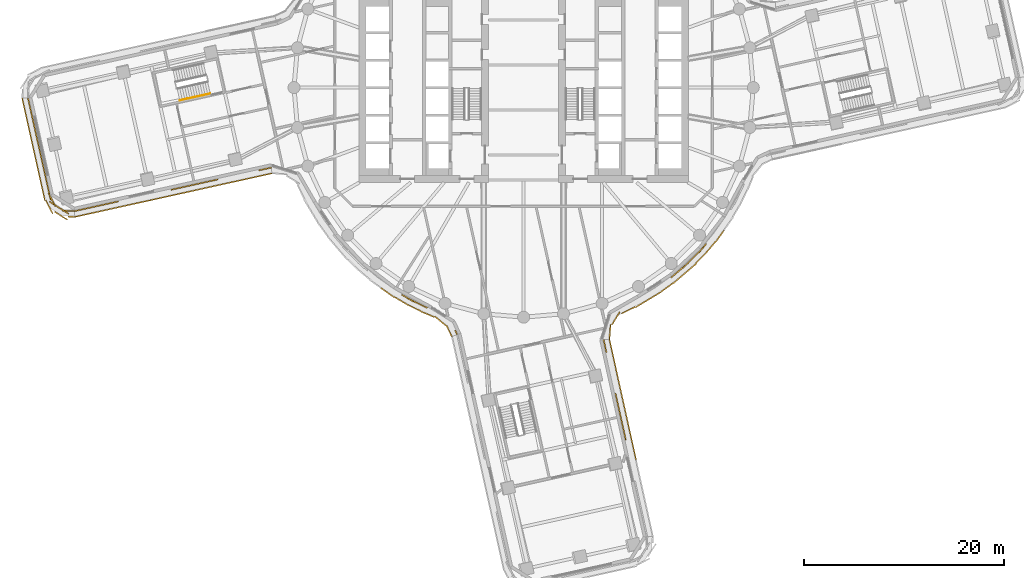
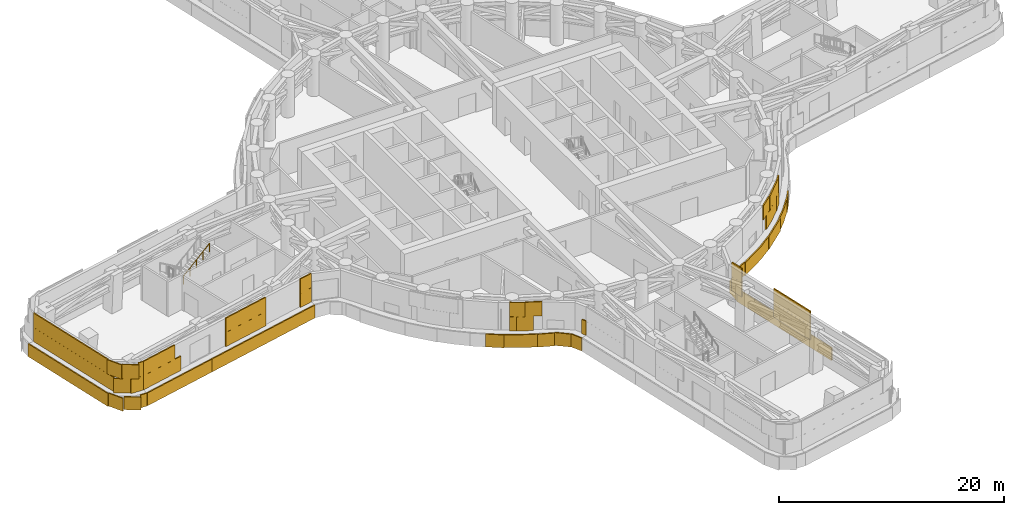
# One storey, part 17 of 22: 6 coverings, 1 railing.
"""IFC4 building model written with IfcOpenShell, lengths in metres."""

from ifc_helpers import new_model, si_unit, direction, frame, origin, origin_2d, place, context, subcontext, project, spatial, rectangle, circle, extrude, material, layer, layer_set, type_object, element, save


model = new_model("IFC4")

# Units and contexts
model_context = context("Model", 3, precision=1e-05, world=origin(), true_north=direction((0.0, 1.0)))
body_context = subcontext(model_context, "Body", "Model", "MODEL_VIEW")
ifc_project = project(units=[si_unit("LENGTHUNIT", "METRE"), si_unit("AREAUNIT", "SQUARE_METRE"), si_unit("VOLUMEUNIT", "CUBIC_METRE"), si_unit("PLANEANGLEUNIT", "RADIAN"), si_unit("MASSUNIT", "GRAM", prefix="KILO")], contexts=[model_context])

# Site, building, storey
site_placement = place(None, origin())
site = spatial("IfcSite", under=ifc_project, at=site_placement, CompositionType="ELEMENT")
building_placement = place(site_placement, origin())
building = spatial("IfcBuilding", under=site, at=building_placement, Name="Tamarind Cross Interchange Tower", CompositionType="ELEMENT")
storey_placement = place(building_placement, frame((0.0, 0.0, 79.0)))
storey = spatial("IfcBuildingStorey", under=building, at=storey_placement, Name="L18", CompositionType="ELEMENT", Elevation=79.0)

# Railing
ifc_material_1 = material(Name="Stair handrail")
railing_type = type_object("IfcRailingType", Name="Stair handrail", PredefinedType="HANDRAIL", material=ifc_material_1)
railing_placement = place(storey_placement, frame((-34.4384765625, -1.28076171875, 2.423095703125)))
element("IfcRailing", 1, at=railing_placement, inside=storey, type_object=railing_type, Name="L18 ST5 stair handrail 2", PredefinedType="HANDRAIL", context=body_context, shape_type="SweptSolid", body=[
    extrude(circle(Radius=0.02392578125, at=origin_2d()), frame((0.0, 0.0, 0.8759765625), z_axis=(0.812565500343, 0.180700392653, 0.554152213518), x_axis=(-0.217079600269, 0.976153905461, 0.0)), (0.0, 0.0, 1.0), 3.747802734375),
    extrude(circle(Radius=0.02099609375, at=origin_2d()), origin(), (0.0, 0.0, 1.0), 0.851806640625),
    extrude(circle(Radius=0.02099609375, at=origin_2d()), frame((0.76123046875, 0.16943359375, 0.519287109375)), (0.0, 0.0, 1.0), 0.851806640625),
    extrude(circle(Radius=0.02099609375, at=origin_2d()), frame((1.522705078125, 0.338623046875, 1.03857421875)), (0.0, 0.0, 1.0), 0.851806640625),
    extrude(circle(Radius=0.02099609375, at=origin_2d()), frame((2.2841796875, 0.5078125, 1.5576171875)), (0.0, 0.0, 1.0), 0.851806640625),
    extrude(circle(Radius=0.02099609375, at=origin_2d()), frame((3.04541015625, 0.67724609375, 2.076904296875)), (0.0, 0.0, 1.0), 0.851806640625),
])

# Coverings
ifc_material_2 = material(Name="Terracotta", Category="masonry")
ifc_layer = layer(ifc_material_2, 0.1201171875)
ifc_layer_set = layer_set([ifc_layer], Name="Terracotta")
covering_type = type_object("IfcCoveringType", Name="Terracotta baguette screen unit", PredefinedType="MOLDING", material=ifc_layer_set)
covering_1_placement = place(storey_placement, origin())
element("IfcCovering", 2, at=covering_1_placement, inside=storey, type_object=covering_type, Name="SCR-L18-00-00", PredefinedType="MOLDING", context=body_context, shape_type="SweptSolid", body=[
    extrude(rectangle(XDim=1.510009765625, YDim=0.1201171875, at=origin_2d()), frame((-49.484619140625, -1.74609375, 1.404052734375), z_axis=(0.0, 0.0, 1.0), x_axis=(0.217080255487, -0.976153759752, 0.0)), (0.0, 0.0, 1.0), 1.5419921875),
    extrude(rectangle(XDim=1.52001953125, YDim=0.1201171875, at=origin_2d()), frame((-49.158935546875, -3.21044921875, 1.404052734375), z_axis=(0.0, 0.0, 1.0), x_axis=(0.217080255487, -0.976153759752, 0.0)), (0.0, 0.0, 1.0), 1.5419921875),
    extrude(rectangle(XDim=1.52001953125, YDim=0.1201171875, at=origin_2d()), frame((-48.833251953125, -4.674560546875, 1.404052734375), z_axis=(0.0, 0.0, 1.0), x_axis=(0.217080255487, -0.976153759752, 0.0)), (0.0, 0.0, 1.0), 1.5419921875),
    extrude(rectangle(XDim=1.52001953125, YDim=0.1201171875, at=origin_2d()), frame((-48.507568359375, -6.138916015625, 1.404052734375), z_axis=(0.0, 0.0, 1.0), x_axis=(0.217080255487, -0.976153759752, 0.0)), (0.0, 0.0, 1.0), 1.5419921875),
    extrude(rectangle(XDim=1.52001953125, YDim=0.1201171875, at=origin_2d()), frame((-48.18212890625, -7.60302734375, 1.404052734375), z_axis=(0.0, 0.0, 1.0), x_axis=(0.217080255487, -0.976153759752, 0.0)), (0.0, 0.0, 1.0), 1.5419921875),
    extrude(rectangle(XDim=1.52001953125, YDim=0.1201171875, at=origin_2d()), frame((-47.8564453125, -9.0673828125, 1.404052734375), z_axis=(0.0, 0.0, 1.0), x_axis=(0.217080255487, -0.976153759752, 0.0)), (0.0, 0.0, 1.0), 1.5419921875),
    extrude(rectangle(XDim=1.52001953125, YDim=0.1201171875, at=origin_2d()), frame((-47.53076171875, -10.531494140625, 1.404052734375), z_axis=(0.0, 0.0, 1.0), x_axis=(0.217080255487, -0.976153759752, 0.0)), (0.0, 0.0, 1.0), 1.5419921875),
    extrude(rectangle(XDim=1.52001953125, YDim=0.1201171875, at=origin_2d()), frame((-46.84521484375, -11.831787109375, 1.404052734375), z_axis=(0.0, 0.0, 1.0), x_axis=(0.843743863718, -0.536746022285, 0.0)), (0.0, 0.0, 1.0), 1.5419921875),
    extrude(rectangle(XDim=1.259521484375, YDim=0.1201171875, at=origin_2d()), frame((-45.615966796875, -12.349365234375, 1.404052734375), z_axis=(0.0, 0.0, 1.0), x_axis=(0.999076631409, -0.04296375882, 0.0)), (0.0, 0.0, 1.0), 1.5419921875),
    extrude(rectangle(XDim=0.760009765625, YDim=0.1201171875, at=origin_2d()), frame((-49.56591796875, -1.380126953125, 2.9541015625), z_axis=(0.0, 0.0, 1.0), x_axis=(0.217080255487, -0.976153759752, 0.0)), (0.0, 0.0, 1.0), 1.5419921875),
    extrude(rectangle(XDim=1.52001953125, YDim=0.1201171875, at=origin_2d()), frame((-49.32177734375, -2.478271484375, 2.9541015625), z_axis=(0.0, 0.0, 1.0), x_axis=(0.217080255487, -0.976153759752, 0.0)), (0.0, 0.0, 1.0), 1.5419921875),
    extrude(rectangle(XDim=1.52001953125, YDim=0.1201171875, at=origin_2d()), frame((-48.99609375, -3.9423828125, 2.9541015625), z_axis=(0.0, 0.0, 1.0), x_axis=(0.217080255487, -0.976153759752, 0.0)), (0.0, 0.0, 1.0), 1.5419921875),
    extrude(rectangle(XDim=1.52001953125, YDim=0.1201171875, at=origin_2d()), frame((-48.67041015625, -5.40673828125, 2.9541015625), z_axis=(0.0, 0.0, 1.0), x_axis=(0.217080255487, -0.976153759752, 0.0)), (0.0, 0.0, 1.0), 1.5419921875),
    extrude(rectangle(XDim=1.52001953125, YDim=0.1201171875, at=origin_2d()), frame((-48.3447265625, -6.870849609375, 2.9541015625), z_axis=(0.0, 0.0, 1.0), x_axis=(0.217080255487, -0.976153759752, 0.0)), (0.0, 0.0, 1.0), 1.5419921875),
    extrude(rectangle(XDim=1.52001953125, YDim=0.1201171875, at=origin_2d()), frame((-48.019287109375, -8.335205078125, 2.9541015625), z_axis=(0.0, 0.0, 1.0), x_axis=(0.217080255487, -0.976153759752, 0.0)), (0.0, 0.0, 1.0), 1.5419921875),
    extrude(rectangle(XDim=1.52001953125, YDim=0.1201171875, at=origin_2d()), frame((-47.693603515625, -9.79931640625, 2.9541015625), z_axis=(0.0, 0.0, 1.0), x_axis=(0.217080255487, -0.976153759752, 0.0)), (0.0, 0.0, 1.0), 1.5419921875),
    extrude(rectangle(XDim=1.52001953125, YDim=0.1201171875, at=origin_2d()), frame((-47.251220703125, -11.220947265625, 2.9541015625), z_axis=(0.0, 0.0, 1.0), x_axis=(0.462330609125, -0.886707622538, 0.0)), (0.0, 0.0, 1.0), 1.5419921875),
    extrude(rectangle(XDim=1.52001953125, YDim=0.1201171875, at=origin_2d()), frame((-46.21240234375, -12.234375, 2.9541015625), z_axis=(0.0, 0.0, 1.0), x_axis=(0.843743863718, -0.536746022285, 0.0)), (0.0, 0.0, 1.0), 1.5419921875),
    extrude(rectangle(XDim=0.509521484375, YDim=0.1201171875, at=origin_2d()), frame((-45.2412109375, -12.365478515625, 2.9541015625), z_axis=(0.0, 0.0, 1.0), x_axis=(0.999076631409, -0.04296375882, 0.0)), (0.0, 0.0, 1.0), 1.5419921875),
    extrude(rectangle(XDim=1.510009765625, YDim=0.1201171875, at=origin_2d()), frame((-50.06005859375, -1.8017578125, 0.00390625), z_axis=(0.0, 0.0, 1.0), x_axis=(0.217080255487, -0.976153759752, 0.0)), (0.0, 0.0, 1.0), 1.39208984375),
    extrude(rectangle(XDim=1.52001953125, YDim=0.1201171875, at=origin_2d()), frame((-49.735595703125, -3.26123046875, 0.00390625), z_axis=(0.0, 0.0, 1.0), x_axis=(0.217080255487, -0.976153759752, 0.0)), (0.0, 0.0, 1.0), 1.39208984375),
    extrude(rectangle(XDim=1.52001953125, YDim=0.1201171875, at=origin_2d()), frame((-49.409912109375, -4.725341796875, 0.00390625), z_axis=(0.0, 0.0, 1.0), x_axis=(0.217080255487, -0.976153759752, 0.0)), (0.0, 0.0, 1.0), 1.39208984375),
    extrude(rectangle(XDim=1.52001953125, YDim=0.1201171875, at=origin_2d()), frame((-49.08447265625, -6.189697265625, 0.00390625), z_axis=(0.0, 0.0, 1.0), x_axis=(0.217080255487, -0.976153759752, 0.0)), (0.0, 0.0, 1.0), 1.39208984375),
    extrude(rectangle(XDim=1.52001953125, YDim=0.1201171875, at=origin_2d()), frame((-48.7587890625, -7.65380859375, 0.00390625), z_axis=(0.0, 0.0, 1.0), x_axis=(0.217080255487, -0.976153759752, 0.0)), (0.0, 0.0, 1.0), 1.39208984375),
    extrude(rectangle(XDim=1.52001953125, YDim=0.1201171875, at=origin_2d()), frame((-48.43310546875, -9.1181640625, 0.00390625), z_axis=(0.0, 0.0, 1.0), x_axis=(0.217080255487, -0.976153759752, 0.0)), (0.0, 0.0, 1.0), 1.39208984375),
    extrude(rectangle(XDim=1.52001953125, YDim=0.1201171875, at=origin_2d()), frame((-48.107421875, -10.582275390625, 0.00390625), z_axis=(0.0, 0.0, 1.0), x_axis=(0.217080255487, -0.976153759752, 0.0)), (0.0, 0.0, 1.0), 1.39208984375),
    extrude(rectangle(XDim=1.52001953125, YDim=0.1201171875, at=origin_2d()), frame((-47.518310546875, -11.950439453125, 0.00390625), z_axis=(0.0, 0.0, 1.0), x_axis=(0.462330609125, -0.886707622538, 0.0)), (0.0, 0.0, 1.0), 1.39208984375),
    extrude(rectangle(XDim=1.52001953125, YDim=0.1201171875, at=origin_2d()), frame((-46.338623046875, -12.83447265625, 0.00390625), z_axis=(0.0, 0.0, 1.0), x_axis=(0.843743863718, -0.536746022285, 0.0)), (0.0, 0.0, 1.0), 1.39208984375),
    extrude(rectangle(XDim=0.6767578125, YDim=0.1201171875, at=origin_2d()), frame((-45.279296875, -12.938232421875, 0.00390625), z_axis=(0.0, 0.0, 1.0), x_axis=(0.999076631409, -0.04296375882, 0.0)), (0.0, 0.0, 1.0), 1.39208984375),
])
covering_2_placement = place(storey_placement, origin())
element("IfcCovering", 3, at=covering_2_placement, inside=storey, type_object=covering_type, Name="SCR-L18-01-00", PredefinedType="MOLDING", context=body_context, shape_type="SweptSolid", body=[
    extrude(rectangle(XDim=1.510009765625, YDim=0.1201171875, at=origin_2d()), frame((-44.25927734375, -12.21435546875, 1.404052734375), z_axis=(0.0, 0.0, 1.0), x_axis=(0.976433232523, 0.21581969888, 0.0)), (0.0, 0.0, 1.0), 1.5419921875),
    extrude(rectangle(XDim=1.52001953125, YDim=0.1201171875, at=origin_2d()), frame((-42.794677734375, -11.890625, 1.404052734375), z_axis=(0.0, 0.0, 1.0), x_axis=(0.976433232523, 0.21581969888, 0.0)), (0.0, 0.0, 1.0), 1.5419921875),
    extrude(rectangle(XDim=1.52001953125, YDim=0.1201171875, at=origin_2d()), frame((-41.330078125, -11.56689453125, 1.404052734375), z_axis=(0.0, 0.0, 1.0), x_axis=(0.976433232523, 0.21581969888, 0.0)), (0.0, 0.0, 1.0), 1.5419921875),
    extrude(rectangle(XDim=0.760009765625, YDim=0.1201171875, at=origin_2d()), frame((-44.62548828125, -12.295166015625, 2.9541015625), z_axis=(0.0, 0.0, 1.0), x_axis=(0.976433232523, 0.21581969888, 0.0)), (0.0, 0.0, 1.0), 1.5419921875),
    extrude(rectangle(XDim=1.52001953125, YDim=0.1201171875, at=origin_2d()), frame((-43.527099609375, -12.052490234375, 2.9541015625), z_axis=(0.0, 0.0, 1.0), x_axis=(0.976433232523, 0.21581969888, 0.0)), (0.0, 0.0, 1.0), 1.5419921875),
    extrude(rectangle(XDim=1.52001953125, YDim=0.1201171875, at=origin_2d()), frame((-42.0625, -11.728759765625, 2.9541015625), z_axis=(0.0, 0.0, 1.0), x_axis=(0.976433232523, 0.21581969888, 0.0)), (0.0, 0.0, 1.0), 1.5419921875),
    extrude(rectangle(XDim=1.510009765625, YDim=0.1201171875, at=origin_2d()), frame((-44.2041015625, -12.789794921875, 0.00390625), z_axis=(0.0, 0.0, 1.0), x_axis=(0.976433232523, 0.21581969888, 0.0)), (0.0, 0.0, 1.0), 1.39208984375),
    extrude(rectangle(XDim=1.52001953125, YDim=0.1201171875, at=origin_2d()), frame((-42.744384765625, -12.46728515625, 0.00390625), z_axis=(0.0, 0.0, 1.0), x_axis=(0.976433232523, 0.21581969888, 0.0)), (0.0, 0.0, 1.0), 1.39208984375),
    extrude(rectangle(XDim=1.52001953125, YDim=0.1201171875, at=origin_2d()), frame((-41.279541015625, -12.1435546875, 0.00390625), z_axis=(0.0, 0.0, 1.0), x_axis=(0.976433232523, 0.21581969888, 0.0)), (0.0, 0.0, 1.0), 1.39208984375),
    extrude(rectangle(XDim=1.52001953125, YDim=0.1201171875, at=origin_2d()), frame((-39.81494140625, -11.81982421875, 0.00390625), z_axis=(0.0, 0.0, 1.0), x_axis=(0.976433232523, 0.21581969888, 0.0)), (0.0, 0.0, 1.0), 1.39208984375),
    extrude(rectangle(XDim=1.52001953125, YDim=0.1201171875, at=origin_2d()), frame((-38.350341796875, -11.49609375, 0.00390625), z_axis=(0.0, 0.0, 1.0), x_axis=(0.976433232523, 0.21581969888, 0.0)), (0.0, 0.0, 1.0), 1.39208984375),
    extrude(rectangle(XDim=0.3232421875, YDim=0.1201171875, at=origin_2d()), frame((-37.469970703125, -11.301513671875, 0.00390625), z_axis=(0.0, 0.0, 1.0), x_axis=(0.976433232523, 0.21581969888, 0.0)), (0.0, 0.0, 1.0), 1.39208984375),
])
covering_3_placement = place(storey_placement, origin())
element("IfcCovering", 4, at=covering_3_placement, inside=storey, type_object=covering_type, Name="SCR-L18-01-01", PredefinedType="MOLDING", context=body_context, shape_type="SweptSolid", body=[
    extrude(rectangle(XDim=0.592529296875, YDim=0.1201171875, at=origin_2d()), frame((-35.023681640625, -10.1728515625, 1.404052734375), z_axis=(0.0, 0.0, 1.0), x_axis=(0.976433232523, 0.21581969888, 0.0)), (0.0, 0.0, 1.0), 1.5419921875),
    extrude(rectangle(XDim=1.52001953125, YDim=0.1201171875, at=origin_2d()), frame((-34.0068359375, -9.9482421875, 1.404052734375), z_axis=(0.0, 0.0, 1.0), x_axis=(0.976433232523, 0.21581969888, 0.0)), (0.0, 0.0, 1.0), 1.5419921875),
    extrude(rectangle(XDim=1.52001953125, YDim=0.1201171875, at=origin_2d()), frame((-32.542236328125, -9.62451171875, 1.404052734375), z_axis=(0.0, 0.0, 1.0), x_axis=(0.976433232523, 0.21581969888, 0.0)), (0.0, 0.0, 1.0), 1.5419921875),
    extrude(rectangle(XDim=1.226806640625, YDim=0.1201171875, at=origin_2d()), frame((-31.2158203125, -9.331298828125, 1.404052734375), z_axis=(0.0, 0.0, 1.0), x_axis=(0.976433232523, 0.21581969888, 0.0)), (0.0, 0.0, 1.0), 1.5419921875),
    extrude(rectangle(XDim=0.59326171875, YDim=0.1201171875, at=origin_2d()), frame((-26.236083984375, -8.230712890625, 1.404052734375), z_axis=(0.0, 0.0, 1.0), x_axis=(0.976433232523, 0.21581969888, 0.0)), (0.0, 0.0, 1.0), 1.5419921875),
    extrude(rectangle(XDim=0.7265625, YDim=0.1201171875, at=origin_2d()), frame((-25.6015625, -8.09033203125, 1.404052734375), z_axis=(0.0, 0.0, 1.0), x_axis=(0.976433232523, 0.21581969888, 0.0)), (0.0, 0.0, 1.0), 1.5419921875),
    extrude(rectangle(XDim=1.342529296875, YDim=0.1201171875, at=origin_2d()), frame((-34.657470703125, -10.092041015625, 2.9541015625), z_axis=(0.0, 0.0, 1.0), x_axis=(0.976433232523, 0.21581969888, 0.0)), (0.0, 0.0, 1.0), 1.5419921875),
    extrude(rectangle(XDim=1.52001953125, YDim=0.1201171875, at=origin_2d()), frame((-33.2744140625, -9.786376953125, 2.9541015625), z_axis=(0.0, 0.0, 1.0), x_axis=(0.976433232523, 0.21581969888, 0.0)), (0.0, 0.0, 1.0), 1.5419921875),
    extrude(rectangle(XDim=1.52001953125, YDim=0.1201171875, at=origin_2d()), frame((-31.809814453125, -9.462646484375, 2.9541015625), z_axis=(0.0, 0.0, 1.0), x_axis=(0.976433232523, 0.21581969888, 0.0)), (0.0, 0.0, 1.0), 1.5419921875),
    extrude(rectangle(XDim=0.476806640625, YDim=0.1201171875, at=origin_2d()), frame((-30.849609375, -9.250244140625, 2.9541015625), z_axis=(0.0, 0.0, 1.0), x_axis=(0.976433232523, 0.21581969888, 0.0)), (0.0, 0.0, 1.0), 1.5419921875),
    extrude(rectangle(XDim=1.2998046875, YDim=0.1201171875, at=origin_2d()), frame((-25.88623046875, -8.1533203125, 2.9541015625), z_axis=(0.0, 0.0, 1.0), x_axis=(0.976433232523, 0.21581969888, 0.0)), (0.0, 0.0, 1.0), 1.5419921875),
    extrude(rectangle(XDim=1.19677734375, YDim=0.1201171875, at=origin_2d()), frame((-36.727783203125, -11.137451171875, 0.00390625), z_axis=(0.0, 0.0, 1.0), x_axis=(0.976433232523, 0.21581969888, 0.0)), (0.0, 0.0, 1.0), 1.39208984375),
    extrude(rectangle(XDim=1.52001953125, YDim=0.1201171875, at=origin_2d()), frame((-35.4208984375, -10.8486328125, 0.00390625), z_axis=(0.0, 0.0, 1.0), x_axis=(0.976433232523, 0.21581969888, 0.0)), (0.0, 0.0, 1.0), 1.39208984375),
    extrude(rectangle(XDim=1.52001953125, YDim=0.1201171875, at=origin_2d()), frame((-33.956298828125, -10.52490234375, 0.00390625), z_axis=(0.0, 0.0, 1.0), x_axis=(0.976433232523, 0.21581969888, 0.0)), (0.0, 0.0, 1.0), 1.39208984375),
    extrude(rectangle(XDim=1.52001953125, YDim=0.1201171875, at=origin_2d()), frame((-32.49169921875, -10.201171875, 0.00390625), z_axis=(0.0, 0.0, 1.0), x_axis=(0.976433232523, 0.21581969888, 0.0)), (0.0, 0.0, 1.0), 1.39208984375),
    extrude(rectangle(XDim=1.52001953125, YDim=0.1201171875, at=origin_2d()), frame((-31.027099609375, -9.87744140625, 0.00390625), z_axis=(0.0, 0.0, 1.0), x_axis=(0.976433232523, 0.21581969888, 0.0)), (0.0, 0.0, 1.0), 1.39208984375),
    extrude(rectangle(XDim=1.52001953125, YDim=0.1201171875, at=origin_2d()), frame((-29.5625, -9.5537109375, 0.00390625), z_axis=(0.0, 0.0, 1.0), x_axis=(0.976433232523, 0.21581969888, 0.0)), (0.0, 0.0, 1.0), 1.39208984375),
    extrude(rectangle(XDim=1.52001953125, YDim=0.1201171875, at=origin_2d()), frame((-28.09765625, -9.22998046875, 0.00390625), z_axis=(0.0, 0.0, 1.0), x_axis=(0.976433232523, 0.21581969888, 0.0)), (0.0, 0.0, 1.0), 1.39208984375),
    extrude(rectangle(XDim=1.52001953125, YDim=0.1201171875, at=origin_2d()), frame((-26.633056640625, -8.90625, 0.00390625), z_axis=(0.0, 0.0, 1.0), x_axis=(0.976433232523, 0.21581969888, 0.0)), (0.0, 0.0, 1.0), 1.39208984375),
    extrude(rectangle(XDim=0.715576171875, YDim=0.1201171875, at=origin_2d()), frame((-25.561279296875, -8.66943359375, 0.00390625), z_axis=(0.0, 0.0, 1.0), x_axis=(0.976433232523, 0.21581969888, 0.0)), (0.0, 0.0, 1.0), 1.39208984375),
])
covering_4_placement = place(storey_placement, origin())
element("IfcCovering", 5, at=covering_4_placement, inside=storey, type_object=covering_type, Name="SCR-L18-02-01", PredefinedType="MOLDING", context=body_context, shape_type="SweptSolid", body=[
    extrude(rectangle(XDim=0.64013671875, YDim=0.1201171875, at=origin_2d()), frame((-11.942626953125, -20.895751953125, 1.404052734375), z_axis=(0.0, 0.0, 1.0), x_axis=(0.861248933065, -0.508183308752, 0.0)), (0.0, 0.0, 1.0), 1.5419921875),
    extrude(rectangle(XDim=1.52001953125, YDim=0.1201171875, at=origin_2d()), frame((-11.009765625, -21.407470703125, 1.404052734375), z_axis=(0.0, 0.0, 1.0), x_axis=(0.900272776334, -0.435326231914, 0.0)), (0.0, 0.0, 1.0), 1.5419921875),
    extrude(rectangle(XDim=0.4677734375, YDim=0.1201171875, at=origin_2d()), frame((-6.7509765625, -24.535888671875, 1.404052734375), z_axis=(0.0, 0.0, 1.0), x_axis=(0.427216997365, -0.904149123299, 0.0)), (0.0, 0.0, 1.0), 1.5419921875),
    extrude(rectangle(XDim=1.39013671875, YDim=0.1201171875, at=origin_2d()), frame((-11.61962890625, -21.086181640625, 2.9541015625), z_axis=(0.0, 0.0, 1.0), x_axis=(0.861248933065, -0.508183308752, 0.0)), (0.0, 0.0, 1.0), 1.5419921875),
    extrude(rectangle(XDim=1.52001953125, YDim=0.1201171875, at=origin_2d()), frame((-10.33447265625, -21.734130859375, 2.9541015625), z_axis=(0.0, 0.0, 1.0), x_axis=(0.900272776334, -0.435326231914, 0.0)), (0.0, 0.0, 1.0), 1.5419921875),
    extrude(rectangle(XDim=0.143798828125, YDim=0.1201171875, at=origin_2d()), frame((-14.248291015625, -20.10205078125, 0.00390625), z_axis=(0.0, 0.0, 1.0), x_axis=(0.816341886298, -0.577568978284, 0.0)), (0.0, 0.0, 1.0), 1.39208984375),
    extrude(rectangle(XDim=1.52001953125, YDim=0.1201171875, at=origin_2d()), frame((-13.58544921875, -20.57080078125, 0.00390625), z_axis=(0.0, 0.0, 1.0), x_axis=(0.816341886298, -0.577568978284, 0.0)), (0.0, 0.0, 1.0), 1.39208984375),
    extrude(rectangle(XDim=1.52001953125, YDim=0.1201171875, at=origin_2d()), frame((-12.303955078125, -21.34912109375, 0.00390625), z_axis=(0.0, 0.0, 1.0), x_axis=(0.861248933065, -0.508183308752, 0.0)), (0.0, 0.0, 1.0), 1.39208984375),
    extrude(rectangle(XDim=1.52001953125, YDim=0.1201171875, at=origin_2d()), frame((-10.9833984375, -22.057861328125, 0.00390625), z_axis=(0.0, 0.0, 1.0), x_axis=(0.900272776334, -0.435326231914, 0.0)), (0.0, 0.0, 1.0), 1.39208984375),
    extrude(rectangle(XDim=1.52001953125, YDim=0.1201171875, at=origin_2d()), frame((-9.62841796875, -22.700439453125, 0.00390625), z_axis=(0.0, 0.0, 1.0), x_axis=(0.923118099232, -0.384516546939, 0.0)), (0.0, 0.0, 1.0), 1.39208984375),
    extrude(rectangle(XDim=1.52001953125, YDim=0.1201171875, at=origin_2d()), frame((-8.31591796875, -23.396728515625, 0.00390625), z_axis=(0.0, 0.0, 1.0), x_axis=(0.77020122552, -0.637800965982, 0.0)), (0.0, 0.0, 1.0), 1.39208984375),
    extrude(rectangle(XDim=1.201904296875, YDim=0.1201171875, at=origin_2d()), frame((-7.456298828125, -24.38671875, 0.00390625), z_axis=(0.0, 0.0, 1.0), x_axis=(0.427216997365, -0.904149123299, 0.0)), (0.0, 0.0, 1.0), 1.39208984375),
])
covering_5_placement = place(storey_placement, origin())
element("IfcCovering", 6, at=covering_5_placement, inside=storey, type_object=covering_type, Name="SCR-L18-05-01", PredefinedType="MOLDING", context=body_context, shape_type="SweptSolid", body=[
    extrude(rectangle(XDim=0.592529296875, YDim=0.1201171875, at=origin_2d()), frame((10.1728515625, -35.023681640625, 1.404052734375), z_axis=(0.0, 0.0, 1.0), x_axis=(-0.21581969888, 0.976433232523, 0.0)), (0.0, 0.0, 1.0), 1.5419921875),
    extrude(rectangle(XDim=1.52001953125, YDim=0.1201171875, at=origin_2d()), frame((9.9482421875, -34.0068359375, 1.404052734375), z_axis=(0.0, 0.0, 1.0), x_axis=(-0.21581969888, 0.976433232523, 0.0)), (0.0, 0.0, 1.0), 1.5419921875),
    extrude(rectangle(XDim=1.52001953125, YDim=0.1201171875, at=origin_2d()), frame((9.62451171875, -32.542236328125, 1.404052734375), z_axis=(0.0, 0.0, 1.0), x_axis=(-0.21581969888, 0.976433232523, 0.0)), (0.0, 0.0, 1.0), 1.5419921875),
    extrude(rectangle(XDim=1.226806640625, YDim=0.1201171875, at=origin_2d()), frame((9.331298828125, -31.2158203125, 1.404052734375), z_axis=(0.0, 0.0, 1.0), x_axis=(-0.21581969888, 0.976433232523, 0.0)), (0.0, 0.0, 1.0), 1.5419921875),
    extrude(rectangle(XDim=0.59326171875, YDim=0.1201171875, at=origin_2d()), frame((8.230712890625, -26.236083984375, 1.404052734375), z_axis=(0.0, 0.0, 1.0), x_axis=(-0.21581969888, 0.976433232523, 0.0)), (0.0, 0.0, 1.0), 1.5419921875),
    extrude(rectangle(XDim=0.7265625, YDim=0.1201171875, at=origin_2d()), frame((8.09033203125, -25.6015625, 1.404052734375), z_axis=(0.0, 0.0, 1.0), x_axis=(-0.21581969888, 0.976433232523, 0.0)), (0.0, 0.0, 1.0), 1.5419921875),
    extrude(rectangle(XDim=1.342529296875, YDim=0.1201171875, at=origin_2d()), frame((10.092041015625, -34.657470703125, 2.9541015625), z_axis=(0.0, 0.0, 1.0), x_axis=(-0.21581969888, 0.976433232523, 0.0)), (0.0, 0.0, 1.0), 1.5419921875),
    extrude(rectangle(XDim=1.52001953125, YDim=0.1201171875, at=origin_2d()), frame((9.786376953125, -33.2744140625, 2.9541015625), z_axis=(0.0, 0.0, 1.0), x_axis=(-0.21581969888, 0.976433232523, 0.0)), (0.0, 0.0, 1.0), 1.5419921875),
    extrude(rectangle(XDim=1.52001953125, YDim=0.1201171875, at=origin_2d()), frame((9.462646484375, -31.809814453125, 2.9541015625), z_axis=(0.0, 0.0, 1.0), x_axis=(-0.21581969888, 0.976433232523, 0.0)), (0.0, 0.0, 1.0), 1.5419921875),
    extrude(rectangle(XDim=0.476806640625, YDim=0.1201171875, at=origin_2d()), frame((9.250244140625, -30.849609375, 2.9541015625), z_axis=(0.0, 0.0, 1.0), x_axis=(-0.21581969888, 0.976433232523, 0.0)), (0.0, 0.0, 1.0), 1.5419921875),
    extrude(rectangle(XDim=1.2998046875, YDim=0.1201171875, at=origin_2d()), frame((8.1533203125, -25.88623046875, 2.9541015625), z_axis=(0.0, 0.0, 1.0), x_axis=(-0.21581969888, 0.976433232523, 0.0)), (0.0, 0.0, 1.0), 1.5419921875),
    extrude(rectangle(XDim=1.19677734375, YDim=0.1201171875, at=origin_2d()), frame((11.137451171875, -36.727783203125, 0.00390625), z_axis=(0.0, 0.0, 1.0), x_axis=(-0.21581969888, 0.976433232523, 0.0)), (0.0, 0.0, 1.0), 1.39208984375),
    extrude(rectangle(XDim=1.52001953125, YDim=0.1201171875, at=origin_2d()), frame((10.8486328125, -35.4208984375, 0.00390625), z_axis=(0.0, 0.0, 1.0), x_axis=(-0.21581969888, 0.976433232523, 0.0)), (0.0, 0.0, 1.0), 1.39208984375),
    extrude(rectangle(XDim=1.52001953125, YDim=0.1201171875, at=origin_2d()), frame((10.52490234375, -33.956298828125, 0.00390625), z_axis=(0.0, 0.0, 1.0), x_axis=(-0.21581969888, 0.976433232523, 0.0)), (0.0, 0.0, 1.0), 1.39208984375),
    extrude(rectangle(XDim=1.52001953125, YDim=0.1201171875, at=origin_2d()), frame((10.201171875, -32.49169921875, 0.00390625), z_axis=(0.0, 0.0, 1.0), x_axis=(-0.21581969888, 0.976433232523, 0.0)), (0.0, 0.0, 1.0), 1.39208984375),
    extrude(rectangle(XDim=1.52001953125, YDim=0.1201171875, at=origin_2d()), frame((9.87744140625, -31.027099609375, 0.00390625), z_axis=(0.0, 0.0, 1.0), x_axis=(-0.21581969888, 0.976433232523, 0.0)), (0.0, 0.0, 1.0), 1.39208984375),
    extrude(rectangle(XDim=1.52001953125, YDim=0.1201171875, at=origin_2d()), frame((9.5537109375, -29.5625, 0.00390625), z_axis=(0.0, 0.0, 1.0), x_axis=(-0.21581969888, 0.976433232523, 0.0)), (0.0, 0.0, 1.0), 1.39208984375),
    extrude(rectangle(XDim=1.52001953125, YDim=0.1201171875, at=origin_2d()), frame((9.22998046875, -28.09765625, 0.00390625), z_axis=(0.0, 0.0, 1.0), x_axis=(-0.21581969888, 0.976433232523, 0.0)), (0.0, 0.0, 1.0), 1.39208984375),
    extrude(rectangle(XDim=1.52001953125, YDim=0.1201171875, at=origin_2d()), frame((8.90625, -26.633056640625, 0.00390625), z_axis=(0.0, 0.0, 1.0), x_axis=(-0.21581969888, 0.976433232523, 0.0)), (0.0, 0.0, 1.0), 1.39208984375),
    extrude(rectangle(XDim=0.715576171875, YDim=0.1201171875, at=origin_2d()), frame((8.66943359375, -25.561279296875, 0.00390625), z_axis=(0.0, 0.0, 1.0), x_axis=(-0.21581969888, 0.976433232523, 0.0)), (0.0, 0.0, 1.0), 1.39208984375),
])
covering_6_placement = place(storey_placement, origin())
element("IfcCovering", 7, at=covering_6_placement, inside=storey, type_object=covering_type, Name="SCR-L18-06-00", PredefinedType="MOLDING", context=body_context, shape_type="SweptSolid", body=[
    extrude(rectangle(XDim=1.52001953125, YDim=0.1201171875, at=origin_2d()), frame((15.906982421875, -18.062255859375, 1.404052734375), z_axis=(0.0, 0.0, 1.0), x_axis=(0.760295606781, 0.64957723968, 0.0)), (0.0, 0.0, 1.0), 1.5419921875),
    extrude(rectangle(XDim=1.52001953125, YDim=0.1201171875, at=origin_2d()), frame((16.998779296875, -17.035400390625, 1.404052734375), z_axis=(0.0, 0.0, 1.0), x_axis=(0.704057148523, 0.710143317658, 0.0)), (0.0, 0.0, 1.0), 1.5419921875),
    extrude(rectangle(XDim=1.179931640625, YDim=0.1201171875, at=origin_2d()), frame((17.92578125, -16.07568359375, 1.404052734375), z_axis=(0.0, 0.0, 1.0), x_axis=(0.643009266048, 0.765858396687, 0.0)), (0.0, 0.0, 1.0), 1.5419921875),
    extrude(rectangle(XDim=1.52001953125, YDim=0.1201171875, at=origin_2d()), frame((15.336669921875, -18.549560546875, 2.9541015625), z_axis=(0.0, 0.0, 1.0), x_axis=(0.760295606781, 0.64957723968, 0.0)), (0.0, 0.0, 1.0), 1.5419921875),
    extrude(rectangle(XDim=1.52001953125, YDim=0.1201171875, at=origin_2d()), frame((16.470703125, -17.568115234375, 2.9541015625), z_axis=(0.0, 0.0, 1.0), x_axis=(0.704057148523, 0.710143317658, 0.0)), (0.0, 0.0, 1.0), 1.5419921875),
    extrude(rectangle(XDim=1.52001953125, YDim=0.1201171875, at=origin_2d()), frame((17.52685546875, -16.5029296875, 2.9541015625), z_axis=(0.0, 0.0, 1.0), x_axis=(0.704057148523, 0.710143317658, 0.0)), (0.0, 0.0, 1.0), 1.5419921875),
    extrude(rectangle(XDim=0.429931640625, YDim=0.1201171875, at=origin_2d()), frame((18.1669921875, -15.78857421875, 2.9541015625), z_axis=(0.0, 0.0, 1.0), x_axis=(0.643009266048, 0.765858396687, 0.0)), (0.0, 0.0, 1.0), 1.5419921875),
    extrude(rectangle(XDim=1.510009765625, YDim=0.1201171875, at=origin_2d()), frame((8.65283203125, -24.45947265625, 0.00390625), z_axis=(0.0, 0.0, 1.0), x_axis=(0.080422797465, 0.996760840748, 0.0)), (0.0, 0.0, 1.0), 1.39208984375),
    extrude(rectangle(XDim=1.52001953125, YDim=0.1201171875, at=origin_2d()), frame((9.23193359375, -23.11767578125, 0.00390625), z_axis=(0.0, 0.0, 1.0), x_axis=(0.518648780545, 0.854987393146, 0.0)), (0.0, 0.0, 1.0), 1.39208984375),
    extrude(rectangle(XDim=1.52001953125, YDim=0.1201171875, at=origin_2d()), frame((10.486328125, -22.302001953125, 0.00390625), z_axis=(0.0, 0.0, 1.0), x_axis=(0.896423142967, 0.443199220162, 0.0)), (0.0, 0.0, 1.0), 1.39208984375),
    extrude(rectangle(XDim=1.52001953125, YDim=0.1201171875, at=origin_2d()), frame((11.8310546875, -21.63720703125, 0.00390625), z_axis=(0.0, 0.0, 1.0), x_axis=(0.856843065292, 0.515577308909, 0.0)), (0.0, 0.0, 1.0), 1.39208984375),
    extrude(rectangle(XDim=1.52001953125, YDim=0.1201171875, at=origin_2d()), frame((13.1162109375, -20.86376953125, 0.00390625), z_axis=(0.0, 0.0, 1.0), x_axis=(0.856843065292, 0.515577308909, 0.0)), (0.0, 0.0, 1.0), 1.39208984375),
    extrude(rectangle(XDim=1.52001953125, YDim=0.1201171875, at=origin_2d()), frame((14.357666015625, -20.024169921875, 0.00390625), z_axis=(0.0, 0.0, 1.0), x_axis=(0.811340475102, 0.584573890505, 0.0)), (0.0, 0.0, 1.0), 1.39208984375),
    extrude(rectangle(XDim=1.52001953125, YDim=0.1201171875, at=origin_2d()), frame((15.552978515625, -19.11962890625, 0.00390625), z_axis=(0.0, 0.0, 1.0), x_axis=(0.760295606781, 0.64957723968, 0.0)), (0.0, 0.0, 1.0), 1.39208984375),
    extrude(rectangle(XDim=1.52001953125, YDim=0.1201171875, at=origin_2d()), frame((16.693359375, -18.145263671875, 0.00390625), z_axis=(0.0, 0.0, 1.0), x_axis=(0.760295606781, 0.64957723968, 0.0)), (0.0, 0.0, 1.0), 1.39208984375),
    extrude(rectangle(XDim=1.52001953125, YDim=0.1201171875, at=origin_2d()), frame((17.755859375, -17.0869140625, 0.00390625), z_axis=(0.0, 0.0, 1.0), x_axis=(0.704057148523, 0.710143317658, 0.0)), (0.0, 0.0, 1.0), 1.39208984375),
    extrude(rectangle(XDim=1.52001953125, YDim=0.1201171875, at=origin_2d()), frame((18.76025390625, -15.974365234375, 0.00390625), z_axis=(0.0, 0.0, 1.0), x_axis=(0.643009266048, 0.765858396687, 0.0)), (0.0, 0.0, 1.0), 1.39208984375),
    extrude(rectangle(XDim=1.376220703125, YDim=0.1201171875, at=origin_2d()), frame((19.6630859375, -14.86865234375, 0.00390625), z_axis=(0.0, 0.0, 1.0), x_axis=(0.577568978284, 0.816341886298, 0.0)), (0.0, 0.0, 1.0), 1.39208984375),
])

save(model, "model.ifc")
